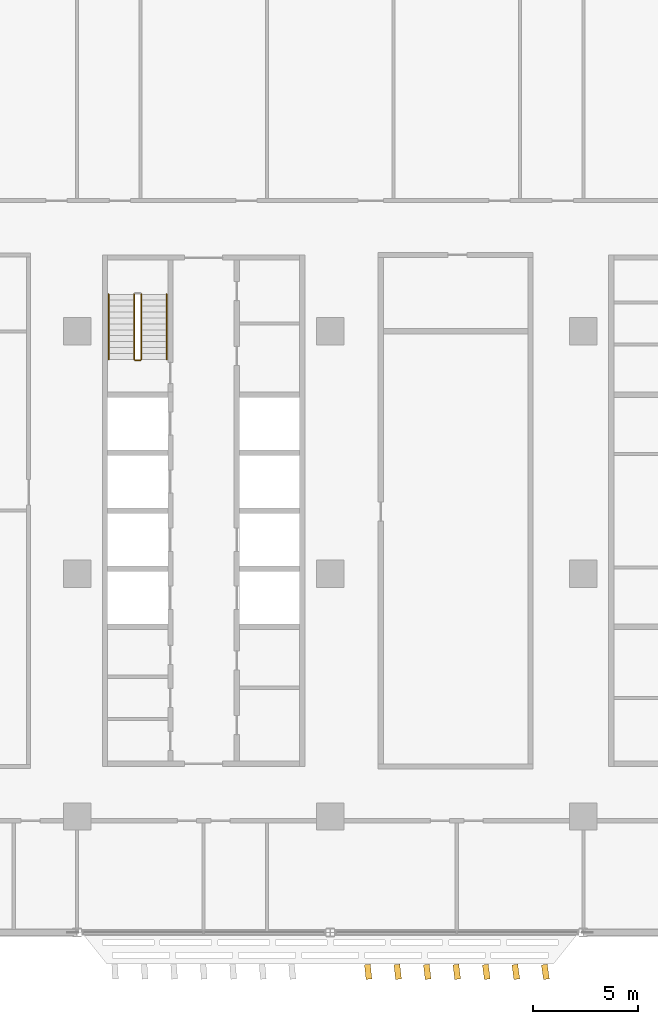
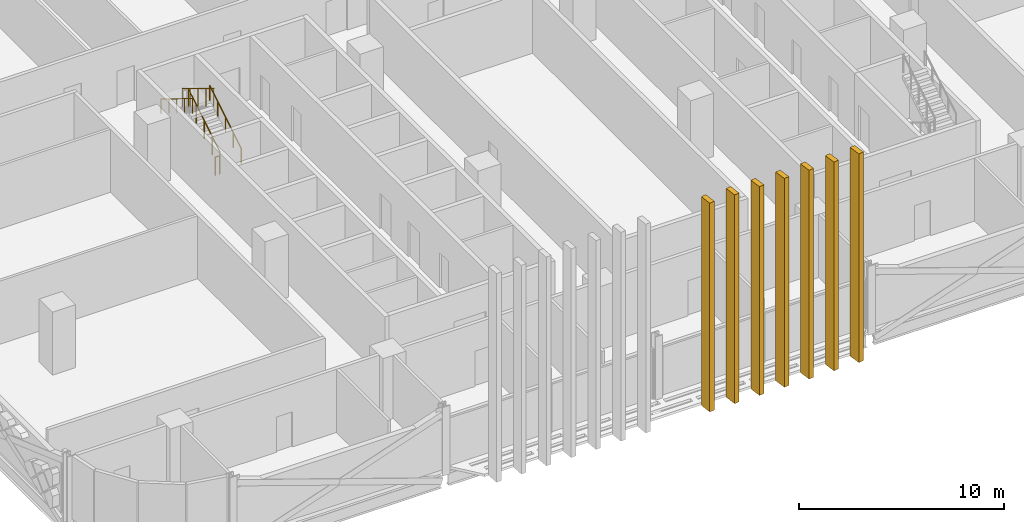
# One storey, part 26 of 32: 7 coverings, 5 railings.
"""IFC4 building model written with IfcOpenShell, lengths in metres."""

from ifc_helpers import new_model, si_unit, direction, frame, origin, origin_2d, place, context, subcontext, project, spatial, rectangle, circle, extrude, material, layer, layer_set, type_object, element, save


model = new_model("IFC4")

# Units and contexts
model_context = context("Model", 3, precision=1e-05, world=origin(), true_north=direction((0.0, 1.0)))
body_context = subcontext(model_context, "Body", "Model", "MODEL_VIEW")
ifc_project = project(units=[si_unit("LENGTHUNIT", "METRE"), si_unit("AREAUNIT", "SQUARE_METRE"), si_unit("VOLUMEUNIT", "CUBIC_METRE"), si_unit("PLANEANGLEUNIT", "RADIAN"), si_unit("MASSUNIT", "GRAM", prefix="KILO")], contexts=[model_context])

# Site, building, storey
site_placement = place(None, origin())
site = spatial("IfcSite", under=ifc_project, at=site_placement, CompositionType="ELEMENT")
building_placement = place(site_placement, origin())
building = spatial("IfcBuilding", under=site, at=building_placement, Name="Mahtab Terrace Research Tower", CompositionType="ELEMENT")
storey_placement = place(building_placement, frame((0.0, 0.0, 138.39990234375)))
storey = spatial("IfcBuildingStorey", under=building, at=storey_placement, Name="L32", CompositionType="ELEMENT", Elevation=138.39990234375)

# Railings
ifc_material_1 = material(Name="Stainless steel AISI 304", Category="steel")
railing_type_1 = type_object("IfcRailingType", Name="Stair guard 1100", PredefinedType="GUARDRAIL", material=ifc_material_1)
railing_1_placement = place(storey_placement, frame((-26.949951171875, 10.175048828125, 0.1708984375)))
element("IfcRailing", 1, at=railing_1_placement, inside=storey, type_object=railing_type_1, Name="L32 ST1 stair guard 1", PredefinedType="GUARDRAIL", context=body_context, shape_type="SweptSolid", body=[
    extrude(circle(Radius=0.02392578125, at=origin_2d()), frame((0.0, 0.0, 1.076171875), z_axis=(0.0, 0.853647949592, 0.520850437417), x_axis=(-1.0, 0.0, 0.0)), (0.0, 0.0, 1.0), 3.60791015625),
    extrude(circle(Radius=0.02099609375, at=origin_2d()), origin(), (0.0, 0.0, 1.0), 1.052001953125),
    extrude(circle(Radius=0.02099609375, at=origin_2d()), frame((0.0, 0.77001953125, 0.4697265625)), (0.0, 0.0, 1.0), 1.052001953125),
    extrude(circle(Radius=0.02099609375, at=origin_2d()), frame((0.0, 1.5400390625, 0.939453125)), (0.0, 0.0, 1.0), 1.052001953125),
    extrude(circle(Radius=0.02099609375, at=origin_2d()), frame((0.0, 2.309814453125, 1.409423828125)), (0.0, 0.0, 1.0), 1.052001953125),
    extrude(circle(Radius=0.02099609375, at=origin_2d()), frame((0.0, 3.079833984375, 1.879150390625)), (0.0, 0.0, 1.0), 1.052001953125),
])
railing_2_placement = place(storey_placement, frame((-27.300048828125, 13.2548828125, 2.220947265625)))
element("IfcRailing", 2, at=railing_2_placement, inside=storey, type_object=railing_type_1, Name="L32 ST1 stair guard 3", PredefinedType="GUARDRAIL", context=body_context, shape_type="SweptSolid", body=[
    extrude(circle(Radius=0.02392578125, at=origin_2d()), frame((0.0, 0.0, 1.076171875), z_axis=(0.0, -0.853647949592, 0.520850437417), x_axis=(1.0, 0.0, 0.0)), (0.0, 0.0, 1.0), 3.60791015625),
    extrude(circle(Radius=0.02099609375, at=origin_2d()), origin(), (0.0, 0.0, 1.0), 1.052001953125),
    extrude(circle(Radius=0.02099609375, at=origin_2d()), frame((0.0, -0.77001953125, 0.4697265625)), (0.0, 0.0, 1.0), 1.052001953125),
    extrude(circle(Radius=0.02099609375, at=origin_2d()), frame((0.0, -1.5400390625, 0.939453125)), (0.0, 0.0, 1.0), 1.052001953125),
    extrude(circle(Radius=0.02099609375, at=origin_2d()), frame((0.0, -2.309814453125, 1.409423828125)), (0.0, 0.0, 1.0), 1.052001953125),
    extrude(circle(Radius=0.02099609375, at=origin_2d()), frame((0.0, -3.079833984375, 1.879150390625)), (0.0, 0.0, 1.0), 1.052001953125),
])
railing_3_placement = place(storey_placement, frame((-27.0, 10.125, 0.0)))
element("IfcRailing", 3, at=railing_3_placement, inside=storey, type_object=railing_type_1, Name="L32 ST1 stair guard 4", PredefinedType="GUARDRAIL", context=body_context, shape_type="SweptSolid", body=[
    extrude(circle(Radius=0.02392578125, at=origin_2d()), frame((0.0, 0.0, 1.076171875), z_axis=(-1.0, 0.0, 0.0), x_axis=(0.0, -1.0, 0.0)), (0.0, 0.0, 1.0), 0.25),
    extrude(circle(Radius=0.02099609375, at=origin_2d()), origin(), (0.0, 0.0, 1.0), 1.052001953125),
    extrude(circle(Radius=0.02099609375, at=origin_2d()), frame((-0.25, 0.0, 0.0)), (0.0, 0.0, 1.0), 1.052001953125),
])
railing_type_2 = type_object("IfcRailingType", Name="Stair handrail 900", PredefinedType="HANDRAIL", material=ifc_material_1)
railing_4_placement = place(storey_placement, frame((-25.75, 10.175048828125, 0.1708984375)))
element("IfcRailing", 4, at=railing_4_placement, inside=storey, type_object=railing_type_2, Name="L32 ST1 stair handrail 1", PredefinedType="HANDRAIL", context=body_context, shape_type="SweptSolid", body=[
    extrude(circle(Radius=0.02392578125, at=origin_2d()), frame((0.0, 0.0, 0.8759765625), z_axis=(0.0, 0.853647949592, 0.520850437417), x_axis=(-1.0, 0.0, 0.0)), (0.0, 0.0, 1.0), 3.60791015625),
    extrude(circle(Radius=0.02099609375, at=origin_2d()), origin(), (0.0, 0.0, 1.0), 0.851806640625),
    extrude(circle(Radius=0.02099609375, at=origin_2d()), frame((0.0, 0.77001953125, 0.4697265625)), (0.0, 0.0, 1.0), 0.851806640625),
    extrude(circle(Radius=0.02099609375, at=origin_2d()), frame((0.0, 1.5400390625, 0.939453125)), (0.0, 0.0, 1.0), 0.851806640625),
    extrude(circle(Radius=0.02099609375, at=origin_2d()), frame((0.0, 2.309814453125, 1.409423828125)), (0.0, 0.0, 1.0), 0.851806640625),
    extrude(circle(Radius=0.02099609375, at=origin_2d()), frame((0.0, 3.079833984375, 1.879150390625)), (0.0, 0.0, 1.0), 0.851806640625),
])
railing_5_placement = place(storey_placement, frame((-28.5, 13.2548828125, 2.220947265625)))
element("IfcRailing", 5, at=railing_5_placement, inside=storey, type_object=railing_type_2, Name="L32 ST1 stair handrail 2", PredefinedType="HANDRAIL", context=body_context, shape_type="SweptSolid", body=[
    extrude(circle(Radius=0.02392578125, at=origin_2d()), frame((0.0, 0.0, 0.8759765625), z_axis=(0.0, -0.853647949592, 0.520850437417), x_axis=(1.0, 0.0, 0.0)), (0.0, 0.0, 1.0), 3.60791015625),
    extrude(circle(Radius=0.02099609375, at=origin_2d()), origin(), (0.0, 0.0, 1.0), 0.851806640625),
    extrude(circle(Radius=0.02099609375, at=origin_2d()), frame((0.0, -0.77001953125, 0.4697265625)), (0.0, 0.0, 1.0), 0.851806640625),
    extrude(circle(Radius=0.02099609375, at=origin_2d()), frame((0.0, -1.5400390625, 0.939453125)), (0.0, 0.0, 1.0), 0.851806640625),
    extrude(circle(Radius=0.02099609375, at=origin_2d()), frame((0.0, -2.309814453125, 1.409423828125)), (0.0, 0.0, 1.0), 0.851806640625),
    extrude(circle(Radius=0.02099609375, at=origin_2d()), frame((0.0, -3.079833984375, 1.879150390625)), (0.0, 0.0, 1.0), 0.851806640625),
])

# Coverings
ifc_material_2 = material(Name="Bronze anodised aluminium", Category="aluminium")
ifc_layer = layer(ifc_material_2, 0.1201171875)
ifc_layer_set = layer_set([ifc_layer], Name="Vertical fin 700")
covering_type = type_object("IfcCoveringType", Name="Vertical fin 700", PredefinedType="CLADDING", material=ifc_layer_set)
for number, where, z_axis, x_axis, name in (
    (6, (-16.199951171875, -18.863037109375, -0.14990234375), (0.0, 0.0, 1.0), (0.994258180634, 0.107007804585, 0.0), "Fin L32 S1"),
    (7, (-14.800048828125, -18.863525390625, -0.14990234375), (0.0, 0.0, 1.0), (0.993618812002, 0.112790320663, 0.0), "Fin L32 S2"),
    (8, (-13.39990234375, -18.864013671875, -0.14990234375), (0.0, 0.0, 1.0), (0.992945813063, 0.118569019226, 0.0), "Fin L32 S3"),
    (9, (-12.0, -18.86474609375, -0.14990234375), (0.0, 0.0, 1.0), (0.9922392066, 0.12434370465, 0.0), "Fin L32 S4"),
    (10, (-10.60009765625, -18.865234375, -0.14990234375), (0.0, 0.0, 1.0), (0.991499016526, 0.130114181502, 0.0), "Fin L32 S5"),
    (11, (-9.199951171875, -18.86572265625, -0.14990234375), (0.0, 0.0, 1.0), (0.990725267892, 0.135880254489, 0.0), "Fin L32 S6"),
    (12, (-7.800048828125, -18.8662109375, -0.14990234375), (0.0, 0.0, 1.0), (0.989917986891, 0.141641728418, 0.0), "Fin L32 S7"),
):
    element("IfcCovering", number, at=place(storey_placement, frame(where, z_axis=z_axis, x_axis=x_axis)), inside=storey, type_object=covering_type, Name=name, PredefinedType="CLADDING", context=body_context, shape_type="SweptSolid", body=[
        extrude(rectangle(XDim=0.280029296875, YDim=0.699951171875, at=origin_2d()), origin(), (0.0, 0.0, 1.0), 12.449951171875),
    ])

save(model, "model.ifc")
